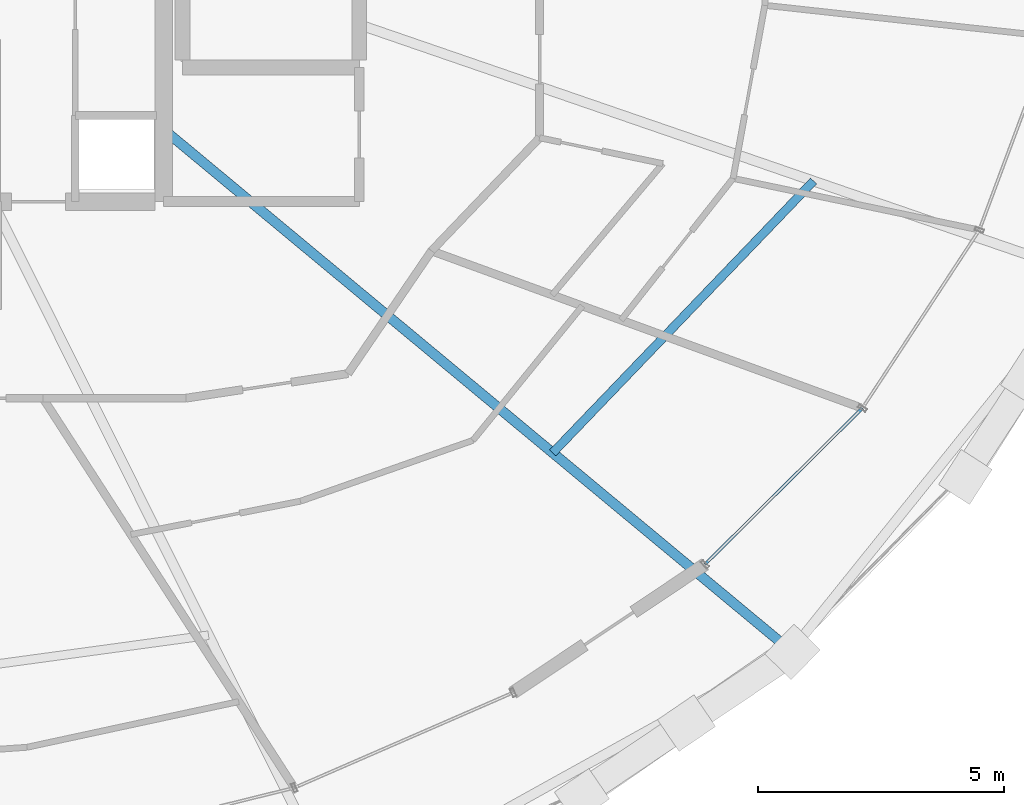
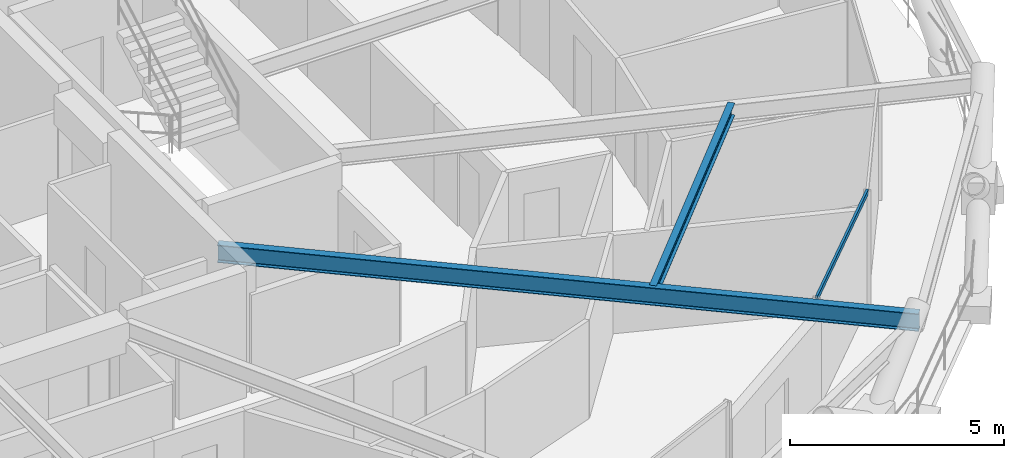
# One storey, part 8 of 20: 2 beams, 1 member, 1 element without a shape of its own.
"""IFC4 building model written with IfcOpenShell, lengths in metres."""

from ifc_helpers import new_model, si_unit, direction, frame, origin, origin_2d, place, context, subcontext, project, spatial, hollow_rectangle, i_section, extrude, material, layer, layer_set, material_profile, profile_set, type_object, element, aggregate, save


model = new_model("IFC4")

# Units and contexts
model_context = context("Model", 3, precision=1e-05, world=origin(), true_north=direction((0.0, 1.0)))
body_context = subcontext(model_context, "Body", "Model", "MODEL_VIEW")
ifc_project = project(units=[si_unit("LENGTHUNIT", "METRE"), si_unit("AREAUNIT", "SQUARE_METRE"), si_unit("VOLUMEUNIT", "CUBIC_METRE"), si_unit("PLANEANGLEUNIT", "RADIAN"), si_unit("MASSUNIT", "GRAM", prefix="KILO")], contexts=[model_context])

# Site, building, storey
site_placement = place(None, origin())
site = spatial("IfcSite", under=ifc_project, at=site_placement, CompositionType="ELEMENT")
building_placement = place(site_placement, origin())
building = spatial("IfcBuilding", under=site, at=building_placement, Name="Veldorina Hangang Commons", CompositionType="ELEMENT")
storey_placement = place(building_placement, frame((0.0, 0.0, 153.199951171875)))
storey = spatial("IfcBuildingStorey", under=building, at=storey_placement, Name="L39", CompositionType="ELEMENT", Elevation=153.199951171875)

# Beams
ifc_material_1 = material(Name="Steel SM420-TMC", Category="steel")
ifc_material_profile_1 = material_profile(ifc_material_1, i_section(OverallWidth=0.199951171875, OverallDepth=0.5, WebThickness=0.010009765625, FlangeThickness=0.01611328125, FilletRadius=0.01611328125, at=origin_2d()), Name="H-500x200x10x16")
ifc_profile_set_1 = profile_set([ifc_material_profile_1], Name="Steel SM420-TMC")
beam_type_1 = type_object("IfcBeamType", Name="BM-FG500", PredefinedType="BEAM", material=ifc_profile_set_1)
beam_1_placement = place(storey_placement, frame((39.199951171875, 18.0166015625, 3.10009765625), z_axis=(0.769100409171, -0.639127968886, 0.0), x_axis=(0.639127968886, 0.769100409171, 0.0)))
element("IfcBeam", 1, at=beam_1_placement, inside=storey, type_object=beam_type_1, Name="L39 radial floor girder 15", PredefinedType="BEAM", context=body_context, shape_type="SweptSolid", body=[
    extrude(i_section(OverallWidth=0.199951171875, OverallDepth=0.5, WebThickness=0.010009765625, FlangeThickness=0.01611328125, FilletRadius=0.01611328125, at=origin_2d()), origin(), (0.0, 0.0, 1.0), 16.603271484375),
])
ifc_material_2 = material(Name="Steel SM355-TMC", Category="steel")
ifc_material_profile_2 = material_profile(ifc_material_2, i_section(OverallWidth=0.175048828125, OverallDepth=0.35009765625, WebThickness=0.007080078125, FlangeThickness=0.010986328125, FilletRadius=0.012939453125, at=origin_2d()), Name="H-350x175x7x11")
ifc_profile_set_2 = profile_set([ifc_material_profile_2], Name="Steel SM355-TMC")
beam_type_2 = type_object("IfcBeamType", Name="BM-JST350", PredefinedType="JOIST", material=ifc_profile_set_2)
beam_2_placement = place(storey_placement, frame((47.1171875, 11.4375, 3.175048828125), z_axis=(0.692338904771, 0.721572477954, 0.0), x_axis=(-0.721572477954, 0.692338904771, 0.0)))
element("IfcBeam", 2, at=beam_2_placement, inside=storey, type_object=beam_type_2, Name="L39 secondary floor joist 15", PredefinedType="JOIST", context=body_context, shape_type="SweptSolid", body=[
    extrude(i_section(OverallWidth=0.175048828125, OverallDepth=0.35009765625, WebThickness=0.007080078125, FlangeThickness=0.010986328125, FilletRadius=0.012939453125, at=origin_2d()), origin(), (0.0, 0.0, 1.0), 7.66650390625),
])

# Curtain wall, member
ifc_material_3 = material(Name="Glass Low-E Triple IGU", Category="glass")
ifc_layer = layer(ifc_material_3, 0.179931640625)
ifc_layer_set = layer_set([ifc_layer], Name="Glass Low-E Triple IGU")
curtain_wall_type = type_object("IfcCurtainWallType", Name="CW-SYS-Z2", PredefinedType="NOTDEFINED", material=ifc_layer_set)
curtain_wall_placement = place(storey_placement, origin())
curtain_wall = element("IfcCurtainWall", 3, at=curtain_wall_placement, inside=storey, type_object=curtain_wall_type, Name="L39 unitised curtain wall CW-L39-R2", PredefinedType="NOTDEFINED")
ifc_material_4 = material(Name="Aluminium Anodized AA6063-T6", Category="aluminium")
ifc_material_profile_3 = material_profile(ifc_material_4, hollow_rectangle(XDim=0.06005859375, YDim=0.139892578125, WallThickness=0.00341796875, at=origin_2d()), Name="ALU-RHS-140x60x3.5")
ifc_profile_set_3 = profile_set([ifc_material_profile_3], Name="Aluminium Anodized AA6063-T6")
member_type = type_object("IfcMemberType", Name="CW-TRN-140", PredefinedType="USERDEFINED", material=ifc_profile_set_3)
member_placement = place(storey_placement, frame((50.215576171875, 9.16748046875, 3.27001953125), z_axis=(0.709860343921, 0.704342453731, 0.0), x_axis=(-0.704342453731, 0.709860343921, 0.0)))
member = element("IfcMember", 4, at=member_placement, type_object=member_type, Name="CW-L39-R2 facet 1 transom 1", ObjectType="TRANSOM", PredefinedType="USERDEFINED", context=body_context, shape_type="SweptSolid", body=[
    extrude(hollow_rectangle(XDim=0.06005859375, YDim=0.139892578125, WallThickness=0.00341796875, at=origin_2d()), origin(), (0.0, 0.0, 1.0), 4.512939453125),
])
aggregate(curtain_wall, [member])

save(model, "model.ifc")
